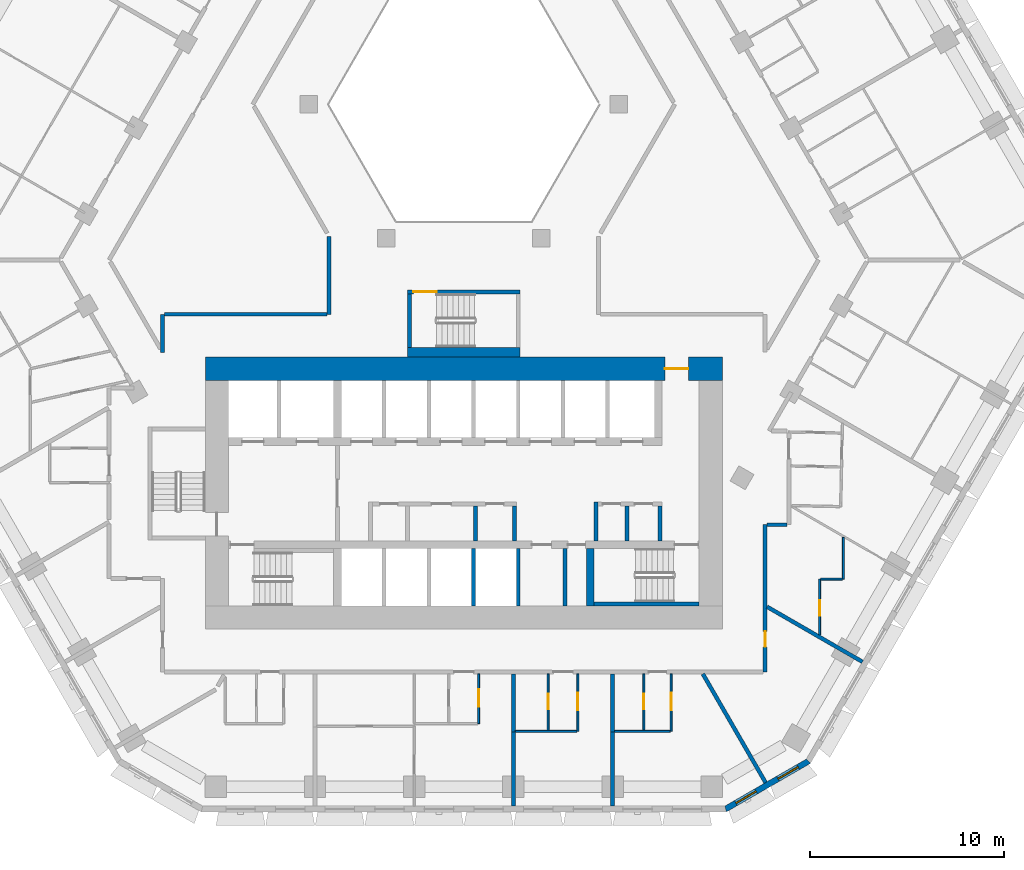
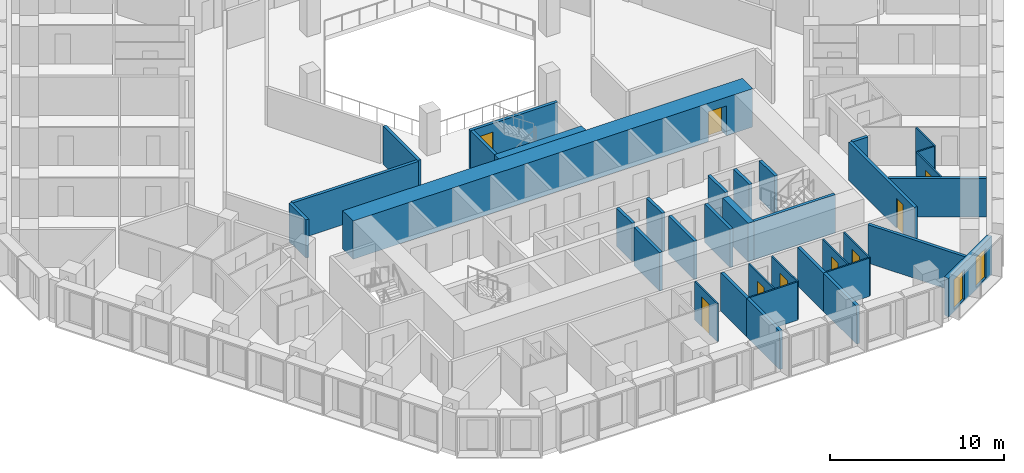
# One storey, part 6 of 21: 36 walls, 9 doors, 2 windows, 11 openings.
"""IFC4 building model written with IfcOpenShell, lengths in metres."""

from ifc_helpers import new_model, si_unit, direction, frame, frame_2d, origin, place, context, subcontext, project, spatial, polyline, rectangle, outline, extrude, material, layer, layer_set, type_object, element, fill, save


model = new_model("IFC4")

# Units and contexts
model_context = context("Model", 3, precision=1e-05, world=origin(), true_north=direction((0.0, 1.0)))
body_context = subcontext(model_context, "Body", "Model", "MODEL_VIEW")
ifc_project = project(units=[si_unit("LENGTHUNIT", "METRE"), si_unit("AREAUNIT", "SQUARE_METRE"), si_unit("VOLUMEUNIT", "CUBIC_METRE"), si_unit("PLANEANGLEUNIT", "RADIAN"), si_unit("MASSUNIT", "GRAM", prefix="KILO")], contexts=[model_context])

# Site, building, storey
site_placement = place(None, origin())
site = spatial("IfcSite", under=ifc_project, at=site_placement, CompositionType="ELEMENT")
building_placement = place(site_placement, origin())
building = spatial("IfcBuilding", under=site, at=building_placement, Name="Beryl Residences", CompositionType="ELEMENT")
storey_placement = place(building_placement, frame((0.0, 0.0, 35.39990234375)))
storey = spatial("IfcBuildingStorey", under=building, at=storey_placement, Name="L10", CompositionType="ELEMENT", Elevation=35.39990234375)

# Wall, openings, windows
ifc_material_1 = material(Name="Composite metal panel with mineral wool insulation")
ifc_layer_1 = layer(ifc_material_1, 0.300048828125)
ifc_layer_set_1 = layer_set([ifc_layer_1], Name="ES1 pale metal composite panel wall 300 mm")
wall_type_1 = type_object("IfcWallType", Name="ES1 pale metal composite panel wall 300 mm", PredefinedType="SOLIDWALL", material=ifc_layer_set_1)
wall_1_placement = place(storey_placement, frame((13.43505859375, -28.27001953125, 0.0), z_axis=(0.0, 0.0, 1.0), x_axis=(0.866010750942, 0.50002537861, 0.0)))
wall_1 = element("IfcWall", 1, at=wall_1_placement, inside=storey, type_object=wall_type_1, Name="ES1 external wall L10 S-SE", PredefinedType="SOLIDWALL", context=body_context, shape_type="SweptSolid", body=[
    extrude(outline(polyline([(0.0, -0.14990234375), (4.999755859375, -0.14990234375), (4.91943359375, 0.14990234375), (0.080322265625, 0.14990234375), (0.0, -0.14990234375)])), origin(), (0.0, 0.0, 1.0), 2.7001953125),
])
opening_1_placement = place(wall_1_placement, frame((0.64990234375, 0.0, 0.14990234375)))
opening_1 = element("IfcOpeningElement", 2, at=opening_1_placement, cuts=wall_1, Name="Opening W2", PredefinedType="OPENING", context=body_context, shape_type="SweptSolid", body=[
    extrude(rectangle(XDim=1.199951171875, YDim=2.10009765625, at=frame_2d((0.60009765625, 1.050048828125))), frame((0.0, 0.159912109375, 0.0), z_axis=(0.0, -1.0, 0.0), x_axis=(1.0, 0.0, 0.0)), (0.0, 0.0, 1.0), 0.320068359375),
])
opening_2_placement = place(wall_1_placement, frame((3.14892578125, 0.0, 0.14990234375)))
opening_2 = element("IfcOpeningElement", 3, at=opening_2_placement, cuts=wall_1, Name="Opening W2", PredefinedType="OPENING", context=body_context, shape_type="SweptSolid", body=[
    extrude(rectangle(XDim=1.199951171875, YDim=2.10009765625, at=frame_2d((0.60009765625, 1.050048828125))), frame((0.0, 0.159912109375, 0.0), z_axis=(0.0, -1.0, 0.0), x_axis=(1.0, 0.0, 0.0)), (0.0, 0.0, 1.0), 0.320068359375),
])
ifc_material_2 = material(Name="Aluminium and clear glass", Category="aluminium")
window_type = type_object("IfcWindowType", Name="W2 chamfer window 1200 x 2100 mm", PartitioningType="SINGLE_PANEL", PredefinedType="WINDOW", material=ifc_material_2)
window_1_placement = place(opening_1_placement, origin())
window_1 = element("IfcWindow", 4, at=window_1_placement, inside=storey, type_object=window_type, Name="W2 window L10 S-SE 1", OverallHeight=2.10009765625, OverallWidth=1.199951171875, PartitioningType="SINGLE_PANEL", PredefinedType="WINDOW", context=body_context, shape_type="SweptSolid", body=[
    extrude(rectangle(XDim=1.199951171875, YDim=2.10009765625, at=frame_2d((0.60009765625, 1.050048828125))), frame((0.0, 0.030029296875, 0.0), z_axis=(0.0, -1.0, 0.0), x_axis=(1.0, 0.0, 0.0)), (0.0, 0.0, 1.0), 0.06005859375),
])
fill(opening_1, window_1)
window_2_placement = place(opening_2_placement, origin())
window_2 = element("IfcWindow", 5, at=window_2_placement, inside=storey, type_object=window_type, Name="W2 window L10 S-SE 2", OverallHeight=2.10009765625, OverallWidth=1.199951171875, PartitioningType="SINGLE_PANEL", PredefinedType="WINDOW", context=body_context, shape_type="SweptSolid", body=[
    extrude(rectangle(XDim=1.199951171875, YDim=2.10009765625, at=frame_2d((0.60009765625, 1.050048828125))), frame((0.0, 0.030029296875, 0.0), z_axis=(0.0, -1.0, 0.0), x_axis=(1.0, 0.0, 0.0)), (0.0, 0.0, 1.0), 0.06005859375),
])
fill(opening_2, window_2)

# Walls
ifc_material_3 = material(Name="Gypsum board partition on steel studs", Category="steel")
ifc_layer_2 = layer(ifc_material_3, 0.10009765625)
ifc_layer_set_2 = layer_set([ifc_layer_2], Name="PT1 partition 100 mm gypsum board on steel studs")
wall_type_2 = type_object("IfcWallType", Name="PT1 partition 100 mm gypsum board on steel studs", PredefinedType="PARTITIONING", material=ifc_layer_set_2)
wall_2_placement = place(storey_placement, frame((18.35009765625, -16.424072265625, 0.0), z_axis=(0.0, 0.0, 1.0), x_axis=(1.0, 0.0, 0.0)))
element("IfcWall", 6, at=wall_2_placement, inside=storey, type_object=wall_type_2, Name="Wall PT1 L10 026", PredefinedType="PARTITIONING", context=body_context, shape_type="SweptSolid", body=[
    extrude(rectangle(XDim=1.126953125, YDim=0.10009765625, at=frame_2d((0.5634765625, 0.0))), origin(), (0.0, 0.0, 1.0), 2.7001953125),
])
wall_3_placement = place(storey_placement, frame((2.653076171875, -24.260009765625, 0.0), z_axis=(0.0, 0.0, 1.0), x_axis=(1.0, 0.0, 0.0)))
element("IfcWall", 7, at=wall_3_placement, inside=storey, type_object=wall_type_2, Name="Wall PT1 L10 030", PredefinedType="PARTITIONING", context=body_context, shape_type="SweptSolid", body=[
    extrude(rectangle(XDim=3.1669921875, YDim=0.10009765625, at=frame_2d((1.58349609375, 0.0))), origin(), (0.0, 0.0, 1.0), 2.7001953125),
])
wall_4_placement = place(storey_placement, frame((7.757080078125, -24.260009765625, 0.0), z_axis=(0.0, 0.0, 1.0), x_axis=(1.0, 0.0, 0.0)))
element("IfcWall", 8, at=wall_4_placement, inside=storey, type_object=wall_type_2, Name="Wall PT1 L10 031", PredefinedType="PARTITIONING", context=body_context, shape_type="SweptSolid", body=[
    extrude(rectangle(XDim=2.85791015625, YDim=0.10009765625, at=frame_2d((1.428955078125, 0.0))), origin(), (0.0, 0.0, 1.0), 2.7001953125),
])

# Wall, opening, door
wall_5_placement = place(storey_placement, frame((4.339111328125, -24.2099609375, 0.0), z_axis=(0.0, 0.0, 1.0), x_axis=(0.0, 1.0, 0.0)))
wall_5 = element("IfcWall", 9, at=wall_5_placement, inside=storey, type_object=wall_type_2, Name="Wall PT1 L10 043", PredefinedType="PARTITIONING", context=body_context, shape_type="SweptSolid", body=[
    extrude(rectangle(XDim=2.909912109375, YDim=0.10009765625, at=frame_2d((1.455078125, 0.0))), origin(), (0.0, 0.0, 1.0), 2.7001953125),
])
opening_3_placement = place(wall_5_placement, frame((1.080078125, 0.0, 0.0)))
opening_3 = element("IfcOpeningElement", 10, at=opening_3_placement, cuts=wall_5, Name="Opening D0111", PredefinedType="OPENING", context=body_context, shape_type="SweptSolid", body=[
    extrude(rectangle(XDim=0.800048828125, YDim=2.10009765625, at=frame_2d((0.39990234375, 1.050048828125))), frame((0.0, 0.06005859375, 0.0), z_axis=(0.0, -1.0, 0.0), x_axis=(1.0, 0.0, 0.0)), (0.0, 0.0, 1.0), 0.1201171875),
])
ifc_material_4 = material(Name="Timber door leaf", Category="wood")
door_type_1 = type_object("IfcDoorType", Name="D3 bathroom door 800 x 2100 mm", OperationType="SINGLE_SWING_LEFT", PredefinedType="DOOR", material=ifc_material_4)
door_1_placement = place(opening_3_placement, origin())
door_1 = element("IfcDoor", 11, at=door_1_placement, inside=storey, type_object=door_type_1, Name="Door D0111 L10 001", OperationType="SINGLE_SWING_LEFT", OverallHeight=2.10009765625, OverallWidth=0.800048828125, PredefinedType="DOOR", context=body_context, shape_type="SweptSolid", body=[
    extrude(rectangle(XDim=0.800048828125, YDim=2.10009765625, at=frame_2d((0.39990234375, 1.050048828125))), frame((0.0, 0.02490234375, 0.0), z_axis=(0.0, -1.0, 0.0), x_axis=(1.0, 0.0, 0.0)), (0.0, 0.0, 1.0), 0.050048828125),
])
fill(opening_3, door_1)

wall_6_placement = place(storey_placement, frame((5.87109375, -24.259033203125, 0.0), z_axis=(0.0, 0.0, 1.0), x_axis=(0.0, 1.0, 0.0)))
wall_6 = element("IfcWall", 12, at=wall_6_placement, inside=storey, type_object=wall_type_2, Name="Wall PT1 L10 044", PredefinedType="PARTITIONING", context=body_context, shape_type="SweptSolid", body=[
    extrude(rectangle(XDim=2.958984375, YDim=0.10009765625, at=frame_2d((1.4794921875, 0.0))), origin(), (0.0, 0.0, 1.0), 2.7001953125),
])
opening_4_placement = place(wall_6_placement, frame((1.0791015625, 0.0, 0.0)))
opening_4 = element("IfcOpeningElement", 13, at=opening_4_placement, cuts=wall_6, Name="Opening D0110", PredefinedType="OPENING", context=body_context, shape_type="SweptSolid", body=[
    extrude(rectangle(XDim=0.89990234375, YDim=2.10009765625, at=frame_2d((0.449951171875, 1.050048828125))), frame((0.0, 0.06005859375, 0.0), z_axis=(0.0, -1.0, 0.0), x_axis=(1.0, 0.0, 0.0)), (0.0, 0.0, 1.0), 0.1201171875),
])
ifc_material_5 = material(Name="Timber door leaf", Category="wood")
door_type_2 = type_object("IfcDoorType", Name="D2 room door 900 x 2100 mm", OperationType="SINGLE_SWING_LEFT", PredefinedType="DOOR", material=ifc_material_5)
door_2_placement = place(opening_4_placement, origin())
door_2 = element("IfcDoor", 14, at=door_2_placement, inside=storey, type_object=door_type_2, Name="Door D0110 L10 001", OperationType="SINGLE_SWING_RIGHT", OverallHeight=2.10009765625, OverallWidth=0.89990234375, PredefinedType="DOOR", context=body_context, shape_type="SweptSolid", body=[
    extrude(rectangle(XDim=0.89990234375, YDim=2.10009765625, at=frame_2d((0.449951171875, 1.050048828125))), frame((0.0, 0.02490234375, 0.0), z_axis=(0.0, -1.0, 0.0), x_axis=(1.0, 0.0, 0.0)), (0.0, 0.0, 1.0), 0.050048828125),
])
fill(opening_4, door_2)

wall_7_placement = place(storey_placement, frame((0.76708984375, -23.85888671875, 0.0), z_axis=(0.0, 0.0, 1.0), x_axis=(0.0, 1.0, 0.0)))
wall_7 = element("IfcWall", 15, at=wall_7_placement, inside=storey, type_object=wall_type_2, Name="Wall PT1 L10 048", PredefinedType="PARTITIONING", context=body_context, shape_type="SweptSolid", body=[
    extrude(rectangle(XDim=2.558837890625, YDim=0.10009765625, at=frame_2d((1.279296875, 0.0))), origin(), (0.0, 0.0, 1.0), 2.7001953125),
])
opening_5_placement = place(wall_7_placement, frame((0.87890625, 0.0, 0.0)))
opening_5 = element("IfcOpeningElement", 16, at=opening_5_placement, cuts=wall_7, Name="Opening D0105", PredefinedType="OPENING", context=body_context, shape_type="SweptSolid", body=[
    extrude(rectangle(XDim=0.89990234375, YDim=2.10009765625, at=frame_2d((0.449951171875, 1.050048828125))), frame((0.0, 0.06005859375, 0.0), z_axis=(0.0, -1.0, 0.0), x_axis=(1.0, 0.0, 0.0)), (0.0, 0.0, 1.0), 0.1201171875),
])
door_3_placement = place(opening_5_placement, origin())
door_3 = element("IfcDoor", 17, at=door_3_placement, inside=storey, type_object=door_type_2, Name="Door D0105 L10 001", OperationType="SINGLE_SWING_LEFT", OverallHeight=2.10009765625, OverallWidth=0.89990234375, PredefinedType="DOOR", context=body_context, shape_type="SweptSolid", body=[
    extrude(rectangle(XDim=0.89990234375, YDim=2.10009765625, at=frame_2d((0.449951171875, 1.050048828125))), frame((0.0, 0.02490234375, 0.0), z_axis=(0.0, -1.0, 0.0), x_axis=(1.0, 0.0, 0.0)), (0.0, 0.0, 1.0), 0.050048828125),
])
fill(opening_5, door_3)

wall_8_placement = place(storey_placement, frame((9.26611328125, -24.2099609375, 0.0), z_axis=(0.0, 0.0, 1.0), x_axis=(0.0, 1.0, 0.0)))
wall_8 = element("IfcWall", 18, at=wall_8_placement, inside=storey, type_object=wall_type_2, Name="Wall PT1 L10 049", PredefinedType="PARTITIONING", context=body_context, shape_type="SweptSolid", body=[
    extrude(rectangle(XDim=2.909912109375, YDim=0.10009765625, at=frame_2d((1.455078125, 0.0))), origin(), (0.0, 0.0, 1.0), 2.7001953125),
])
opening_6_placement = place(wall_8_placement, frame((1.080078125, 0.0, 0.0)))
opening_6 = element("IfcOpeningElement", 19, at=opening_6_placement, cuts=wall_8, Name="Opening D0114", PredefinedType="OPENING", context=body_context, shape_type="SweptSolid", body=[
    extrude(rectangle(XDim=0.800048828125, YDim=2.10009765625, at=frame_2d((0.39990234375, 1.050048828125))), frame((0.0, 0.06005859375, 0.0), z_axis=(0.0, -1.0, 0.0), x_axis=(1.0, 0.0, 0.0)), (0.0, 0.0, 1.0), 0.1201171875),
])
door_4_placement = place(opening_6_placement, origin())
door_4 = element("IfcDoor", 20, at=door_4_placement, inside=storey, type_object=door_type_1, Name="Door D0114 L10 001", OperationType="SINGLE_SWING_RIGHT", OverallHeight=2.10009765625, OverallWidth=0.800048828125, PredefinedType="DOOR", context=body_context, shape_type="SweptSolid", body=[
    extrude(rectangle(XDim=0.800048828125, YDim=2.10009765625, at=frame_2d((0.39990234375, 1.050048828125))), frame((0.0, 0.02490234375, 0.0), z_axis=(0.0, -1.0, 0.0), x_axis=(1.0, 0.0, 0.0)), (0.0, 0.0, 1.0), 0.050048828125),
])
fill(opening_6, door_4)

wall_9_placement = place(storey_placement, frame((10.666015625, -24.259033203125, 0.0), z_axis=(0.0, 0.0, 1.0), x_axis=(0.0, 1.0, 0.0)))
wall_9 = element("IfcWall", 21, at=wall_9_placement, inside=storey, type_object=wall_type_2, Name="Wall PT1 L10 050", PredefinedType="PARTITIONING", context=body_context, shape_type="SweptSolid", body=[
    extrude(rectangle(XDim=2.958984375, YDim=0.10009765625, at=frame_2d((1.4794921875, 0.0))), origin(), (0.0, 0.0, 1.0), 2.7001953125),
])
opening_7_placement = place(wall_9_placement, frame((1.0791015625, 0.0, 0.0)))
opening_7 = element("IfcOpeningElement", 22, at=opening_7_placement, cuts=wall_9, Name="Opening D0113", PredefinedType="OPENING", context=body_context, shape_type="SweptSolid", body=[
    extrude(rectangle(XDim=0.89990234375, YDim=2.10009765625, at=frame_2d((0.449951171875, 1.050048828125))), frame((0.0, 0.06005859375, 0.0), z_axis=(0.0, -1.0, 0.0), x_axis=(1.0, 0.0, 0.0)), (0.0, 0.0, 1.0), 0.1201171875),
])
door_5_placement = place(opening_7_placement, origin())
door_5 = element("IfcDoor", 23, at=door_5_placement, inside=storey, type_object=door_type_2, Name="Door D0113 L10 001", OperationType="SINGLE_SWING_LEFT", OverallHeight=2.10009765625, OverallWidth=0.89990234375, PredefinedType="DOOR", context=body_context, shape_type="SweptSolid", body=[
    extrude(rectangle(XDim=0.89990234375, YDim=2.10009765625, at=frame_2d((0.449951171875, 1.050048828125))), frame((0.0, 0.02490234375, 0.0), z_axis=(0.0, -1.0, 0.0), x_axis=(1.0, 0.0, 0.0)), (0.0, 0.0, 1.0), 0.050048828125),
])
fill(opening_7, door_5)

wall_10_placement = place(storey_placement, frame((18.300048828125, -19.2890625, 0.0), z_axis=(0.0, 0.0, 1.0), x_axis=(0.0, 1.0, 0.0)))
wall_10 = element("IfcWall", 24, at=wall_10_placement, inside=storey, type_object=wall_type_2, Name="Wall PT1 L10 051", PredefinedType="PARTITIONING", context=body_context, shape_type="SweptSolid", body=[
    extrude(rectangle(XDim=2.864990234375, YDim=0.10009765625, at=frame_2d((1.4326171875, 0.0))), origin(), (0.0, 0.0, 1.0), 2.7001953125),
])
opening_8_placement = place(wall_10_placement, frame((0.97509765625, 0.0, 0.0)))
opening_8 = element("IfcOpeningElement", 25, at=opening_8_placement, cuts=wall_10, Name="Opening D0121", PredefinedType="OPENING", context=body_context, shape_type="SweptSolid", body=[
    extrude(rectangle(XDim=0.800048828125, YDim=2.10009765625, at=frame_2d((0.39990234375, 1.050048828125))), frame((0.0, 0.06005859375, 0.0), z_axis=(0.0, -1.0, 0.0), x_axis=(1.0, 0.0, 0.0)), (0.0, 0.0, 1.0), 0.1201171875),
])
door_6_placement = place(opening_8_placement, origin())
door_6 = element("IfcDoor", 26, at=door_6_placement, inside=storey, type_object=door_type_1, Name="Door D0121 L10 001", OperationType="SINGLE_SWING_LEFT", OverallHeight=2.10009765625, OverallWidth=0.800048828125, PredefinedType="DOOR", context=body_context, shape_type="SweptSolid", body=[
    extrude(rectangle(XDim=0.800048828125, YDim=2.10009765625, at=frame_2d((0.39990234375, 1.050048828125))), frame((0.0, 0.02490234375, 0.0), z_axis=(0.0, -1.0, 0.0), x_axis=(1.0, 0.0, 0.0)), (0.0, 0.0, 1.0), 0.050048828125),
])
fill(opening_8, door_6)

# Walls
wall_11_placement = place(storey_placement, frame((19.528076171875, -16.423095703125, 0.0), z_axis=(0.0, 0.0, 1.0), x_axis=(0.0, 1.0, 0.0)))
element("IfcWall", 27, at=wall_11_placement, inside=storey, type_object=wall_type_2, Name="Wall PT1 L10 052", PredefinedType="PARTITIONING", context=body_context, shape_type="SweptSolid", body=[
    extrude(rectangle(XDim=2.14599609375, YDim=0.10009765625, at=frame_2d((1.072998046875, 0.0))), origin(), (0.0, 0.0, 1.0), 2.7001953125),
])
ifc_material_6 = material(Name="Concrete masonry", Category="masonry")
ifc_layer_3 = layer(ifc_material_6, 0.199951171875)
ifc_layer_set_3 = layer_set([ifc_layer_3], Name="PT13 lobby wall 200 mm")
wall_type_3 = type_object("IfcWallType", Name="PT13 lobby wall 200 mm", PredefinedType="PARTITIONING", material=ifc_layer_set_3)
wall_12_placement = place(storey_placement, frame((2.60009765625, -14.449951171875, 0.0), z_axis=(0.0, 0.0, 1.0), x_axis=(0.0, 1.0, 0.0)))
element("IfcWall", 28, at=wall_12_placement, inside=storey, type_object=wall_type_3, Name="Lobby wall 17", PredefinedType="PARTITIONING", context=body_context, shape_type="SweptSolid", body=[
    extrude(rectangle(XDim=1.800048828125, YDim=0.199951171875, at=frame_2d((0.89990234375, 0.0))), origin(), (0.0, 0.0, 1.0), 2.7001953125),
])
wall_13_placement = place(storey_placement, frame((6.800048828125, -14.449951171875, 0.0), z_axis=(0.0, 0.0, 1.0), x_axis=(0.0, 1.0, 0.0)))
element("IfcWall", 29, at=wall_13_placement, inside=storey, type_object=wall_type_3, Name="Lobby wall 23", PredefinedType="PARTITIONING", context=body_context, shape_type="SweptSolid", body=[
    extrude(rectangle(XDim=2.0, YDim=0.199951171875, at=frame_2d((1.0, 0.0))), origin(), (0.0, 0.0, 1.0), 2.7001953125),
])
wall_14_placement = place(storey_placement, frame((10.10009765625, -14.449951171875, 0.0), z_axis=(0.0, 0.0, 1.0), x_axis=(0.0, 1.0, 0.0)))
element("IfcWall", 30, at=wall_14_placement, inside=storey, type_object=wall_type_3, Name="Lobby wall 27", PredefinedType="PARTITIONING", context=body_context, shape_type="SweptSolid", body=[
    extrude(rectangle(XDim=1.800048828125, YDim=0.199951171875, at=frame_2d((0.89990234375, 0.0))), origin(), (0.0, 0.0, 1.0), 2.7001953125),
])
ifc_material_7 = material(Name="Acoustic double stud gypsum board wall")
ifc_layer_4 = layer(ifc_material_7, 0.199951171875)
ifc_layer_set_4 = layer_set([ifc_layer_4], Name="PT3 party wall 200 mm acoustic double stud")
wall_type_4 = type_object("IfcWallType", Name="PT3 party wall 200 mm acoustic double stud", PredefinedType="PARTITIONING", material=ifc_layer_set_4)
wall_15_placement = place(storey_placement, frame((12.297119140625, -21.300048828125, 0.0), z_axis=(0.0, 0.0, 1.0), x_axis=(0.500056399578, -0.865992839024, 0.0)))
element("IfcWall", 31, at=wall_15_placement, inside=storey, type_object=wall_type_4, Name="Wall PT3 L10 002", PredefinedType="PARTITIONING", context=body_context, shape_type="SweptSolid", body=[
    extrude(rectangle(XDim=6.454833984375, YDim=0.199951171875, at=frame_2d((3.2275390625, 0.0))), origin(), (0.0, 0.0, 1.0), 2.7001953125),
])
for number, where, z_axis, x_axis, name in (
    (32, (7.656982421875, -21.300048828125, 0.0), (0.0, 0.0, 1.0), (0.0, -1.0, 0.0), "Wall PT3 L10 006"),
    (33, (2.552978515625, -21.300048828125, 0.0), (0.0, 0.0, 1.0), (0.0, -1.0, 0.0), "Wall PT3 L10 007"),
):
    element("IfcWall", number, at=place(storey_placement, frame(where, z_axis=z_axis, x_axis=x_axis)), inside=storey, type_object=wall_type_4, Name=name, PredefinedType="PARTITIONING", context=body_context, shape_type="SweptSolid", body=[
        extrude(rectangle(XDim=2.97998046875, YDim=0.199951171875, at=frame_2d((1.489990234375, 0.0))), origin(), (0.0, 0.0, 1.0), 2.7001953125),
    ])
wall_16_placement = place(storey_placement, frame((15.60009765625, -17.845947265625, 0.0), z_axis=(0.0, 0.0, 1.0), x_axis=(0.866071523686, -0.499920109479, 0.0)))
element("IfcWall", 34, at=wall_16_placement, inside=storey, type_object=wall_type_4, Name="Wall PT3 L10 008", PredefinedType="PARTITIONING", context=body_context, shape_type="SweptSolid", body=[
    extrude(rectangle(XDim=5.6669921875, YDim=0.199951171875, at=frame_2d((2.83349609375, 0.0))), origin(), (0.0, 0.0, 1.0), 2.7001953125),
])
for number, where, z_axis, x_axis, name in (
    (35, (7.656982421875, -28.10009765625, 0.0), (0.0, 0.0, 1.0), (0.0, 1.0, 0.0), "Wall PT3 L10 016"),
    (36, (2.552978515625, -28.10009765625, 0.0), (0.0, 0.0, 1.0), (0.0, 1.0, 0.0), "Wall PT3 L10 017"),
):
    element("IfcWall", number, at=place(storey_placement, frame(where, z_axis=z_axis, x_axis=x_axis)), inside=storey, type_object=wall_type_4, Name=name, PredefinedType="PARTITIONING", context=body_context, shape_type="SweptSolid", body=[
        extrude(rectangle(XDim=3.860107421875, YDim=0.199951171875, at=frame_2d((1.93017578125, 0.0))), origin(), (0.0, 0.0, 1.0), 2.7001953125),
    ])
ifc_material_8 = material(Name="Double stud gypsum board wall")
ifc_layer_5 = layer(ifc_material_8, 0.199951171875)
ifc_layer_set_5 = layer_set([ifc_layer_5], Name="PT4 corridor wall 200 mm double stud")
wall_type_5 = type_object("IfcWallType", Name="PT4 corridor wall 200 mm double stud", PredefinedType="PARTITIONING", material=ifc_layer_set_5)
wall_17_placement = place(storey_placement, frame((15.60009765625, -13.6240234375, 0.0), z_axis=(0.0, 0.0, 1.0), x_axis=(1.0, 0.0, 0.0)))
element("IfcWall", 37, at=wall_17_placement, inside=storey, type_object=wall_type_5, Name="Wall PT4 L10 010", PredefinedType="PARTITIONING", context=body_context, shape_type="SweptSolid", body=[
    extrude(rectangle(XDim=1.02685546875, YDim=0.199951171875, at=frame_2d((0.513427734375, 0.0))), origin(), (0.0, 0.0, 1.0), 2.7001953125),
])
wall_18_placement = place(storey_placement, frame((-15.39990234375, -2.800048828125, 0.0), z_axis=(0.0, 0.0, 1.0), x_axis=(1.0, 0.0, 0.0)))
element("IfcWall", 38, at=wall_18_placement, inside=storey, type_object=wall_type_5, Name="Wall PT4 L10 013", PredefinedType="PARTITIONING", context=body_context, shape_type="SweptSolid", body=[
    extrude(rectangle(XDim=8.371826171875, YDim=0.199951171875, at=frame_2d((4.18603515625, 0.0))), origin(), (0.0, 0.0, 1.0), 2.7001953125),
])

# Wall, opening, door
wall_19_placement = place(storey_placement, frame((15.5, -21.198974609375, 0.0), z_axis=(0.0, 0.0, 1.0), x_axis=(0.0, 1.0, 0.0)))
wall_19 = element("IfcWall", 39, at=wall_19_placement, inside=storey, type_object=wall_type_5, Name="Wall PT4 L10 026", PredefinedType="PARTITIONING", context=body_context, shape_type="SweptSolid", body=[
    extrude(rectangle(XDim=7.574951171875, YDim=0.199951171875, at=frame_2d((3.78759765625, 0.0))), origin(), (0.0, 0.0, 1.0), 2.7001953125),
])
opening_9_placement = place(wall_19_placement, frame((1.2880859375, 0.0, 0.0)))
opening_9 = element("IfcOpeningElement", 40, at=opening_9_placement, cuts=wall_19, Name="Opening D0115", PredefinedType="OPENING", context=body_context, shape_type="SweptSolid", body=[
    extrude(rectangle(XDim=0.800048828125, YDim=2.10009765625, at=frame_2d((0.39990234375, 1.050048828125))), frame((0.0, 0.10986328125, 0.0), z_axis=(0.0, -1.0, 0.0), x_axis=(1.0, 0.0, 0.0)), (0.0, 0.0, 1.0), 0.219970703125),
])
door_7_placement = place(opening_9_placement, origin())
door_7 = element("IfcDoor", 41, at=door_7_placement, inside=storey, type_object=door_type_1, Name="Door D0115 L10 001", OperationType="SINGLE_SWING_LEFT", OverallHeight=2.10009765625, OverallWidth=0.800048828125, PredefinedType="DOOR", context=body_context, shape_type="SweptSolid", body=[
    extrude(rectangle(XDim=0.800048828125, YDim=2.10009765625, at=frame_2d((0.39990234375, 1.050048828125))), frame((0.0, 0.02490234375, 0.0), z_axis=(0.0, -1.0, 0.0), x_axis=(1.0, 0.0, 0.0)), (0.0, 0.0, 1.0), 0.050048828125),
])
fill(opening_9, door_7)

# Walls
wall_20_placement = place(storey_placement, frame((-6.927978515625, -2.800048828125, 0.0), z_axis=(0.0, 0.0, 1.0), x_axis=(0.0, 1.0, 0.0)))
element("IfcWall", 42, at=wall_20_placement, inside=storey, type_object=wall_type_5, Name="Wall PT4 L10 029", PredefinedType="PARTITIONING", context=body_context, shape_type="SweptSolid", body=[
    extrude(rectangle(XDim=4.0, YDim=0.199951171875, at=frame_2d((2.0, 0.0))), origin(), (0.0, 0.0, 1.0), 2.7001953125),
])
wall_21_placement = place(storey_placement, frame((-15.5, -4.75390625, 0.0), z_axis=(0.0, 0.0, 1.0), x_axis=(0.0, 1.0, 0.0)))
element("IfcWall", 43, at=wall_21_placement, inside=storey, type_object=wall_type_5, Name="Wall PT4 L10 031", PredefinedType="PARTITIONING", context=body_context, shape_type="SweptSolid", body=[
    extrude(rectangle(XDim=1.953857421875, YDim=0.199951171875, at=frame_2d((0.97705078125, 0.0))), origin(), (0.0, 0.0, 1.0), 2.7001953125),
])

# Wall, opening, door
ifc_material_9 = material(Name="Concrete C40/50", Category="concrete")
ifc_layer_6 = layer(ifc_material_9, 0.199951171875)
ifc_layer_set_6 = layer_set([ifc_layer_6], Name="PT5 stair enclosure wall 200 mm reinforced concrete C40/50")
wall_type_6 = type_object("IfcWallType", Name="PT5 stair enclosure wall 200 mm reinforced concrete C40/50", PredefinedType="SOLIDWALL", material=ifc_layer_set_6)
wall_22_placement = place(storey_placement, frame((-2.89990234375, -1.64990234375, 0.0), z_axis=(0.0, 0.0, 1.0), x_axis=(1.0, 0.0, 0.0)))
wall_22 = element("IfcWall", 44, at=wall_22_placement, inside=storey, type_object=wall_type_6, Name="Wall PT5 L10 001", PredefinedType="SOLIDWALL", context=body_context, shape_type="SweptSolid", body=[
    extrude(rectangle(XDim=5.7998046875, YDim=0.199951171875, at=frame_2d((2.89990234375, 0.0))), origin(), (0.0, 0.0, 1.0), 2.7001953125),
])
opening_10_placement = place(wall_22_placement, frame((0.300048828125, 0.0, 0.0)))
opening_10 = element("IfcOpeningElement", 45, at=opening_10_placement, cuts=wall_22, Name="Opening DS04", PredefinedType="OPENING", context=body_context, shape_type="SweptSolid", body=[
    extrude(rectangle(XDim=1.199951171875, YDim=2.10009765625, at=frame_2d((0.60009765625, 1.050048828125))), frame((0.0, 0.10986328125, 0.0), z_axis=(0.0, -1.0, 0.0), x_axis=(1.0, 0.0, 0.0)), (0.0, 0.0, 1.0), 0.219970703125),
])
ifc_material_10 = material(Name="Steel door leaf in steel frame", Category="steel")
door_type_3 = type_object("IfcDoorType", Name="D4 stair door 1200 x 2100 mm", OperationType="SINGLE_SWING_LEFT", PredefinedType="DOOR", material=ifc_material_10)
door_8_placement = place(opening_10_placement, origin())
door_8 = element("IfcDoor", 46, at=door_8_placement, inside=storey, type_object=door_type_3, Name="Door DS04 L10 001", OperationType="SINGLE_SWING_LEFT", OverallHeight=2.10009765625, OverallWidth=1.199951171875, PredefinedType="DOOR", context=body_context, shape_type="SweptSolid", body=[
    extrude(rectangle(XDim=1.199951171875, YDim=2.10009765625, at=frame_2d((0.60009765625, 1.050048828125))), frame((0.0, 0.02490234375, 0.0), z_axis=(0.0, -1.0, 0.0), x_axis=(1.0, 0.0, 0.0)), (0.0, 0.0, 1.0), 0.050048828125),
])
fill(opening_10, door_8)

# Walls
wall_23_placement = place(storey_placement, frame((-2.800048828125, -4.5, 0.0), z_axis=(0.0, 0.0, 1.0), x_axis=(0.0, 1.0, 0.0)))
element("IfcWall", 47, at=wall_23_placement, inside=storey, type_object=wall_type_6, Name="Wall PT5 L10 002", PredefinedType="SOLIDWALL", context=body_context, shape_type="SweptSolid", body=[
    extrude(rectangle(XDim=2.75, YDim=0.199951171875, at=frame_2d((1.375, 0.0))), origin(), (0.0, 0.0, 1.0), 2.7001953125),
])
wall_24_placement = place(storey_placement, frame((6.699951171875, -17.699951171875, 0.0), z_axis=(0.0, 0.0, 1.0), x_axis=(1.0, 0.0, 0.0)))
element("IfcWall", 48, at=wall_24_placement, inside=storey, type_object=wall_type_6, Name="Stair wall 22", PredefinedType="SOLIDWALL", context=body_context, shape_type="SweptSolid", body=[
    extrude(rectangle(XDim=5.400146484375, YDim=0.199951171875, at=frame_2d((2.7001953125, 0.0))), origin(), (0.0, 0.0, 1.0), 2.7001953125),
])
ifc_material_11 = material(Name="Concrete C40/50", Category="concrete")
ifc_layer_7 = layer(ifc_material_11, 0.5)
ifc_layer_set_7 = layer_set([ifc_layer_7], Name="PT5-500 stair enclosure wall 500 mm")
wall_type_7 = type_object("IfcWallType", Name="PT5-500 stair enclosure wall 500 mm", PredefinedType="SOLIDWALL", material=ifc_layer_set_7)
wall_25_placement = place(storey_placement, frame((-2.89990234375, -4.75, 0.0), z_axis=(0.0, 0.0, 1.0), x_axis=(1.0, 0.0, 0.0)))
element("IfcWall", 49, at=wall_25_placement, inside=storey, type_object=wall_type_7, Name="Wall PT5-500 L10 001", PredefinedType="SOLIDWALL", context=body_context, shape_type="SweptSolid", body=[
    extrude(rectangle(XDim=5.7998046875, YDim=0.5, at=frame_2d((2.89990234375, 0.0))), origin(), (0.0, 0.0, 1.0), 2.7001953125),
])
ifc_material_12 = material(Name="Concrete C40/50", Category="concrete")
ifc_layer_8 = layer(ifc_material_12, 0.199951171875)
ifc_layer_set_8 = layer_set([ifc_layer_8], Name="PT6 lift shaft wall 200 mm reinforced concrete C40/50")
wall_type_8 = type_object("IfcWallType", Name="PT6 lift shaft wall 200 mm reinforced concrete C40/50", PredefinedType="SOLIDWALL", material=ifc_layer_set_8)
for number, where, z_axis, x_axis, name in (
    (50, (0.5, -17.800048828125, 0.0), (0.0, 0.0, 1.0), (0.0, 1.0, 0.0), "Lift shaft wall 14"),
    (51, (2.800048828125, -17.800048828125, 0.0), (0.0, 0.0, 1.0), (0.0, 1.0, 0.0), "Lift shaft wall 18"),
):
    element("IfcWall", number, at=place(storey_placement, frame(where, z_axis=z_axis, x_axis=x_axis)), inside=storey, type_object=wall_type_8, Name=name, PredefinedType="SOLIDWALL", context=body_context, shape_type="SweptSolid", body=[
        extrude(rectangle(XDim=2.949951171875, YDim=0.199951171875, at=frame_2d((1.47509765625, 0.0))), origin(), (0.0, 0.0, 1.0), 2.7001953125),
    ])
ifc_material_13 = material(Name="Concrete masonry", Category="masonry")
ifc_layer_9 = layer(ifc_material_13, 0.199951171875)
ifc_layer_set_9 = layer_set([ifc_layer_9], Name="PT7-200 riser wall 200 mm")
wall_type_9 = type_object("IfcWallType", Name="PT7-200 riser wall 200 mm", PredefinedType="PARTITIONING", material=ifc_layer_set_9)
wall_26_placement = place(storey_placement, frame((5.199951171875, -17.800048828125, 0.0), z_axis=(0.0, 0.0, 1.0), x_axis=(0.0, 1.0, 0.0)))
element("IfcWall", 52, at=wall_26_placement, inside=storey, type_object=wall_type_9, Name="Riser wall 21", PredefinedType="PARTITIONING", context=body_context, shape_type="SweptSolid", body=[
    extrude(rectangle(XDim=2.949951171875, YDim=0.199951171875, at=frame_2d((1.47509765625, 0.0))), origin(), (0.0, 0.0, 1.0), 2.7001953125),
])
ifc_material_14 = material(Name="Concrete masonry", Category="masonry")
ifc_layer_10 = layer(ifc_material_14, 0.199951171875)
ifc_layer_set_10 = layer_set([ifc_layer_10], Name="PT8-200 service room wall 200 mm")
wall_type_10 = type_object("IfcWallType", Name="PT8-200 service room wall 200 mm", PredefinedType="PARTITIONING", material=ifc_layer_set_10)
for number, where, z_axis, x_axis, name in (
    (53, (0.60009765625, -14.449951171875, 0.0), (0.0, 0.0, 1.0), (0.0, 1.0, 0.0), "Core room wall 16"),
    (54, (8.39990234375, -14.449951171875, 0.0), (0.0, 0.0, 1.0), (0.0, 1.0, 0.0), "Core room wall 26"),
):
    element("IfcWall", number, at=place(storey_placement, frame(where, z_axis=z_axis, x_axis=x_axis)), inside=storey, type_object=wall_type_10, Name=name, PredefinedType="PARTITIONING", context=body_context, shape_type="SweptSolid", body=[
        extrude(rectangle(XDim=1.800048828125, YDim=0.199951171875, at=frame_2d((0.89990234375, 0.0))), origin(), (0.0, 0.0, 1.0), 2.7001953125),
    ])

# Wall, opening, door
ifc_material_15 = material(Name="Concrete C80/95", Category="concrete")
ifc_layer_11 = layer(ifc_material_15, 1.199951171875)
ifc_layer_set_11 = layer_set([ifc_layer_11], Name="SW1 core outer wall 1200 mm C80/95")
wall_type_11 = type_object("IfcWallType", Name="SW1 core outer wall 1200 mm C80/95", PredefinedType="SHEAR", material=ifc_layer_set_11)
wall_27_placement = place(storey_placement, frame((-13.300048828125, -5.60009765625, 0.0), z_axis=(0.0, 0.0, 1.0), x_axis=(1.0, 0.0, 0.0)))
wall_27 = element("IfcWall", 55, at=wall_27_placement, inside=storey, type_object=wall_type_11, Name="Core wall N L10", PredefinedType="SHEAR", context=body_context, shape_type="SweptSolid", body=[
    extrude(rectangle(XDim=26.60009765625, YDim=1.199951171875, at=frame_2d((13.300048828125, 0.0))), origin(), (0.0, 0.0, 1.0), 2.7001953125),
])
opening_11_placement = place(wall_27_placement, frame((23.64990234375, 0.0, 0.0)))
opening_11 = element("IfcOpeningElement", 56, at=opening_11_placement, cuts=wall_27, Name="Opening FD-NORTH", PredefinedType="OPENING", context=body_context, shape_type="SweptSolid", body=[
    extrude(rectangle(XDim=1.199951171875, YDim=2.10009765625, at=frame_2d((0.60009765625, 1.050048828125))), frame((0.0, 0.60986328125, 0.0), z_axis=(0.0, -1.0, 0.0), x_axis=(1.0, 0.0, 0.0)), (0.0, 0.0, 1.0), 1.219970703125),
])
ifc_material_16 = material(Name="Steel door leaf in steel frame", Category="steel")
door_type_4 = type_object("IfcDoorType", Name="D22 lobby door 1200 x 2100 mm", OperationType="DOUBLE_DOOR_SINGLE_SWING", PredefinedType="DOOR", material=ifc_material_16)
door_9_placement = place(opening_11_placement, origin())
door_9 = element("IfcDoor", 57, at=door_9_placement, inside=storey, type_object=door_type_4, Name="Door FD-NORTH L10 001", OperationType="DOUBLE_DOOR_SINGLE_SWING", OverallHeight=2.10009765625, OverallWidth=1.199951171875, PredefinedType="DOOR", context=body_context, shape_type="SweptSolid", body=[
    extrude(rectangle(XDim=1.199951171875, YDim=2.10009765625, at=frame_2d((0.60009765625, 1.050048828125))), frame((0.0, 0.02490234375, 0.0), z_axis=(0.0, -1.0, 0.0), x_axis=(1.0, 0.0, 0.0)), (0.0, 0.0, 1.0), 0.050048828125),
])
fill(opening_11, door_9)

# Wall
ifc_material_17 = material(Name="Concrete C80/95", Category="concrete")
ifc_layer_12 = layer(ifc_material_17, 0.39990234375)
ifc_layer_set_12 = layer_set([ifc_layer_12], Name="SW6 core internal wall 400 mm C80/95")
wall_type_12 = type_object("IfcWallType", Name="SW6 core internal wall 400 mm C80/95", PredefinedType="SHEAR", material=ifc_layer_set_12)
wall_28_placement = place(storey_placement, frame((6.5, -17.800048828125, 0.0), z_axis=(0.0, 0.0, 1.0), x_axis=(0.0, 1.0, 0.0)))
element("IfcWall", 58, at=wall_28_placement, inside=storey, type_object=wall_type_12, Name="Core wall XS2 L10", PredefinedType="SHEAR", context=body_context, shape_type="SweptSolid", body=[
    extrude(rectangle(XDim=2.949951171875, YDim=0.39990234375, at=frame_2d((1.47509765625, 0.0))), origin(), (0.0, 0.0, 1.0), 2.7001953125),
])

save(model, "model.ifc")
